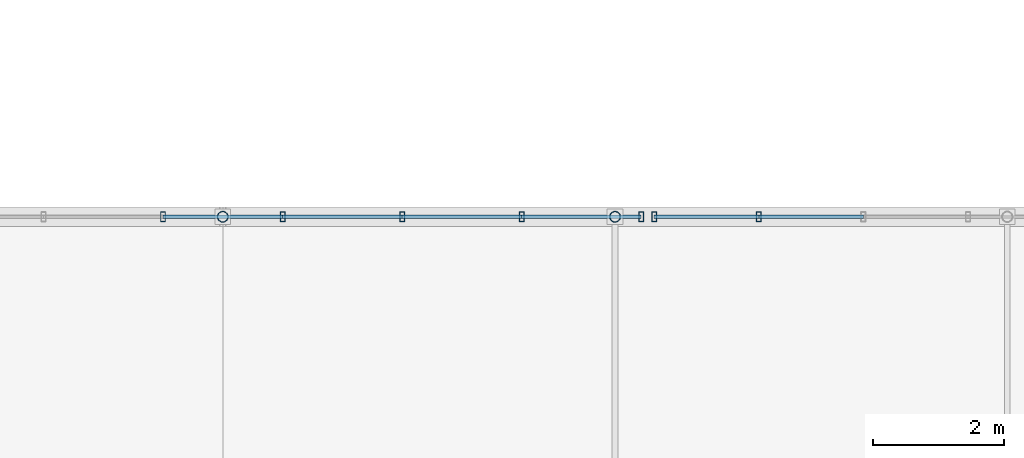
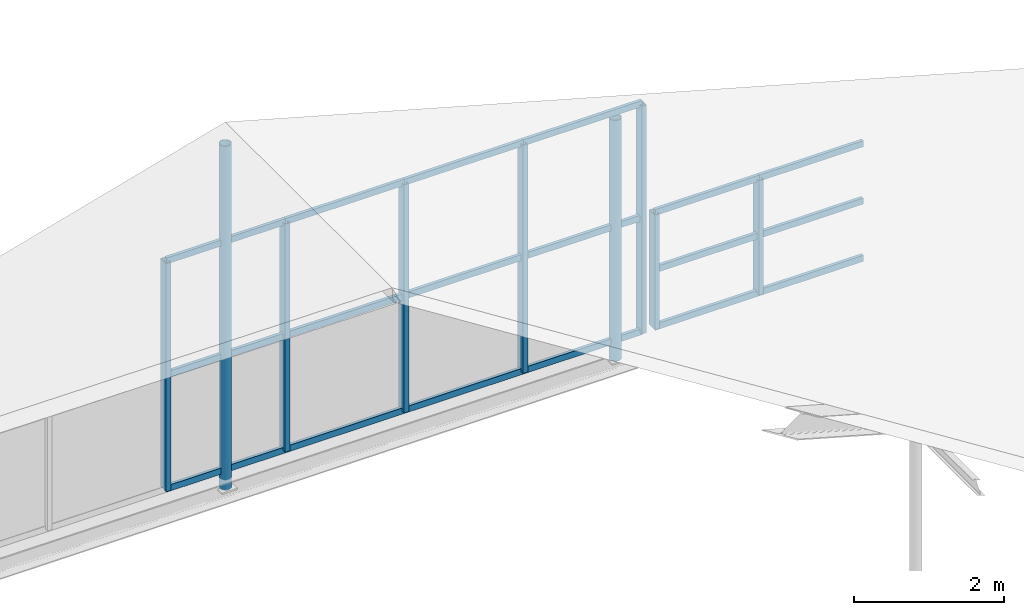
# One storey, part 33 of 49: 27 members, 2 elements without a shape of their own.
"""IFC4 building model written with IfcOpenShell, lengths in metres."""

from ifc_helpers import new_model, si_unit, direction, frame, origin, origin_2d, place, context, subcontext, project, spatial, hollow_rectangle, hollow_circle, extrude, material, material_profile, profile_set, type_object, element, aggregate, save


model = new_model("IFC4")

# Units and contexts
model_context = context("Model", 3, precision=1e-05, world=origin(), true_north=direction((0.0, 1.0)))
body_context = subcontext(model_context, "Body", "Model", "MODEL_VIEW")
ifc_project = project(units=[si_unit("LENGTHUNIT", "METRE"), si_unit("AREAUNIT", "SQUARE_METRE"), si_unit("VOLUMEUNIT", "CUBIC_METRE"), si_unit("PLANEANGLEUNIT", "RADIAN"), si_unit("MASSUNIT", "GRAM", prefix="KILO")], contexts=[model_context])

# Site, building, storey
site_placement = place(None, origin())
site = spatial("IfcSite", under=ifc_project, at=site_placement, CompositionType="ELEMENT")
building_placement = place(site_placement, origin())
building = spatial("IfcBuilding", under=site, at=building_placement, Name="Sundkrona Museum", CompositionType="ELEMENT")
storey_placement = place(building_placement, frame((0.0, 0.0, 26.0)))
storey = spatial("IfcBuildingStorey", under=building, at=storey_placement, Name="L05", CompositionType="ELEMENT", Elevation=26.0)

# Curtain wall, members
ifc_material_1 = material(Name="Unitised Aluminium-Steel and Ceramic-Clad Curtain Walling", Category="steel")
curtain_wall_type = type_object("IfcCurtainWallType", Name="CW-SW-240x13", PredefinedType="NOTDEFINED", material=ifc_material_1)
curtain_wall_1_placement = place(storey_placement, origin())
curtain_wall_1 = element("IfcCurtainWall", 1, at=curtain_wall_1_placement, inside=storey, type_object=curtain_wall_type, Name="Atrium N Glazed Gable Tympanum 3", PredefinedType="NOTDEFINED")
ifc_material_2 = material(Name="Aluminium EN AW-6060 T66", Category="aluminium")
ifc_material_profile_1 = material_profile(ifc_material_2, hollow_rectangle(XDim=0.074951171875, YDim=0.14990234375, WallThickness=0.00634765625, at=origin_2d()), Name="RHS 150x75x6.3")
ifc_profile_set_1 = profile_set([ifc_material_profile_1], Name="Aluminium EN AW-6060 T66")
member_type_1 = type_object("IfcMemberType", Name="ML-150", PredefinedType="MULLION", material=ifc_profile_set_1)
member_1_placement = place(storey_placement, frame((99.085693359375, 40.0, -0.10009765625), z_axis=(0.0, 0.0, 1.0), x_axis=(1.0, 0.0, 0.0)))
member_1 = element("IfcMember", 2, at=member_1_placement, type_object=member_type_1, Name="CW-ATR-GBL-N3 Mullion 04", PredefinedType="MULLION", context=body_context, shape_type="SweptSolid", body=[
    extrude(hollow_rectangle(XDim=0.074951171875, YDim=0.14990234375, WallThickness=0.00634765625, at=origin_2d()), origin(), (0.0, 0.0, 1.0), 3.70703125),
])
member_2_placement = place(storey_placement, frame((100.914306640625, 40.0, -0.10009765625), z_axis=(0.0, 0.0, 1.0), x_axis=(1.0, 0.0, 0.0)))
member_2 = element("IfcMember", 3, at=member_2_placement, type_object=member_type_1, Name="CW-ATR-GBL-N3 Mullion 05", PredefinedType="MULLION", context=body_context, shape_type="SweptSolid", body=[
    extrude(hollow_rectangle(XDim=0.074951171875, YDim=0.14990234375, WallThickness=0.00634765625, at=origin_2d()), origin(), (0.0, 0.0, 1.0), 3.70703125),
])
member_3_placement = place(storey_placement, frame((102.742919921875, 40.0, -0.10009765625), z_axis=(0.0, 0.0, 1.0), x_axis=(1.0, 0.0, 0.0)))
member_3 = element("IfcMember", 4, at=member_3_placement, type_object=member_type_1, Name="CW-ATR-GBL-N3 Mullion 06", PredefinedType="MULLION", context=body_context, shape_type="SweptSolid", body=[
    extrude(hollow_rectangle(XDim=0.074951171875, YDim=0.14990234375, WallThickness=0.00634765625, at=origin_2d()), origin(), (0.0, 0.0, 1.0), 3.70703125),
])
member_4_placement = place(storey_placement, frame((104.5712890625, 40.0, -0.10009765625), z_axis=(0.0, 0.0, 1.0), x_axis=(1.0, 0.0, 0.0)))
member_4 = element("IfcMember", 5, at=member_4_placement, type_object=member_type_1, Name="CW-ATR-GBL-N3 Mullion 07", PredefinedType="MULLION", context=body_context, shape_type="SweptSolid", body=[
    extrude(hollow_rectangle(XDim=0.074951171875, YDim=0.14990234375, WallThickness=0.00634765625, at=origin_2d()), origin(), (0.0, 0.0, 1.0), 3.70703125),
])
member_5_placement = place(storey_placement, frame((106.39990234375, 40.0, -0.10009765625), z_axis=(0.0, 0.0, 1.0), x_axis=(1.0, 0.0, 0.0)))
member_5 = element("IfcMember", 6, at=member_5_placement, type_object=member_type_1, Name="CW-ATR-GBL-N3 Mullion 08", PredefinedType="MULLION", context=body_context, shape_type="SweptSolid", body=[
    extrude(hollow_rectangle(XDim=0.074951171875, YDim=0.14990234375, WallThickness=0.00634765625, at=origin_2d()), origin(), (0.0, 0.0, 1.0), 3.70703125),
])

curtain_wall_2_placement = place(storey_placement, origin())
curtain_wall_2 = element("IfcCurtainWall", 7, at=curtain_wall_2_placement, inside=storey, type_object=curtain_wall_type, Name="Atrium N Glazed Gable Tympanum 4", PredefinedType="NOTDEFINED")
member_6_placement = place(storey_placement, frame((106.60009765625, 40.0, -0.10009765625), z_axis=(0.0, 0.0, 1.0), x_axis=(1.0, 0.0, 0.0)))
member_6 = element("IfcMember", 8, at=member_6_placement, type_object=member_type_1, Name="CW-ATR-GBL-N4 Mullion 01", PredefinedType="MULLION", context=body_context, shape_type="SweptSolid", body=[
    extrude(hollow_rectangle(XDim=0.074951171875, YDim=0.14990234375, WallThickness=0.00634765625, at=origin_2d()), origin(), (0.0, 0.0, 1.0), 1.864013671875),
])
member_7_placement = place(storey_placement, frame((108.199951171875, 40.0, -0.10009765625), z_axis=(0.0, 0.0, 1.0), x_axis=(1.0, 0.0, 0.0)))
member_7 = element("IfcMember", 9, at=member_7_placement, type_object=member_type_1, Name="CW-ATR-GBL-N4 Mullion 02", PredefinedType="MULLION", context=body_context, shape_type="SweptSolid", body=[
    extrude(hollow_rectangle(XDim=0.074951171875, YDim=0.14990234375, WallThickness=0.00634765625, at=origin_2d()), origin(), (0.0, 0.0, 1.0), 1.864013671875),
])

# Members
ifc_material_3 = material(Name="Steel S355J2", Category="steel")
ifc_material_profile_2 = material_profile(ifc_material_3, hollow_circle(Radius=0.084228515625, WallThickness=0.008056640625, at=origin_2d()), Name="CHS 168.3x8.0")
ifc_profile_set_2 = profile_set([ifc_material_profile_2], Name="Steel S355J2")
member_type_2 = type_object("IfcMemberType", Name="ST-CHS168", PredefinedType="STRUT", material=ifc_profile_set_2)
member_8_placement = place(storey_placement, frame((100.0, 40.0, -0.39990234375), z_axis=(0.0, 0.0, 1.0), x_axis=(1.0, 0.0, 0.0)))
element("IfcMember", 10, at=member_8_placement, inside=storey, type_object=member_type_2, Name="RFS-1 Atrium Truss 6 Web Strut 100", PredefinedType="STRUT", context=body_context, shape_type="SweptSolid", body=[
    extrude(hollow_circle(Radius=0.084228515625, WallThickness=0.008056640625, at=origin_2d()), origin(), (0.0, 0.0, 1.0), 5.593994140625),
])
member_9_placement = place(storey_placement, frame((106.0, 40.0, -0.39990234375), z_axis=(0.0, 0.0, 1.0), x_axis=(1.0, 0.0, 0.0)))
element("IfcMember", 11, at=member_9_placement, inside=storey, type_object=member_type_2, Name="RFS-1 Atrium Truss 6 Web Strut 106", PredefinedType="STRUT", context=body_context, shape_type="SweptSolid", body=[
    extrude(hollow_circle(Radius=0.084228515625, WallThickness=0.008056640625, at=origin_2d()), origin(), (0.0, 0.0, 1.0), 3.915771484375),
])

# Member
ifc_material_profile_3 = material_profile(ifc_material_2, hollow_rectangle(XDim=0.050048828125, YDim=0.10009765625, WallThickness=0.0048828125, at=origin_2d()), Name="RHS 100x50x5.0")
ifc_profile_set_3 = profile_set([ifc_material_profile_3], Name="Aluminium EN AW-6060 T66")
member_type_3 = type_object("IfcMemberType", Name="TR-100", PredefinedType="USERDEFINED", material=ifc_profile_set_3)
member_10_placement = place(storey_placement, frame((99.085693359375, 40.0, -0.10009765625), z_axis=(1.0, 0.0, 0.0), x_axis=(0.0, 1.0, 0.0)))
member_10 = element("IfcMember", 12, at=member_10_placement, type_object=member_type_3, Name="CW-ATR-GBL-N3 Transom 10", ObjectType="TRANSOM", PredefinedType="USERDEFINED", context=body_context, shape_type="SweptSolid", body=[
    extrude(hollow_rectangle(XDim=0.050048828125, YDim=0.10009765625, WallThickness=0.0048828125, at=origin_2d()), origin(), (0.0, 0.0, 1.0), 1.82861328125),
])

member_11_placement = place(storey_placement, frame((99.085693359375, 40.0, 1.7529296875), z_axis=(1.0, 0.0, 0.0), x_axis=(0.0, 1.0, 0.0)))
member_11 = element("IfcMember", 13, at=member_11_placement, type_object=member_type_3, Name="CW-ATR-GBL-N3 Transom 11", ObjectType="TRANSOM", PredefinedType="USERDEFINED", context=body_context, shape_type="SweptSolid", body=[
    extrude(hollow_rectangle(XDim=0.050048828125, YDim=0.10009765625, WallThickness=0.0048828125, at=origin_2d()), origin(), (0.0, 0.0, 1.0), 1.82861328125),
])

member_12_placement = place(storey_placement, frame((99.085693359375, 40.0, 3.60693359375), z_axis=(1.0, 0.0, 0.0), x_axis=(0.0, 1.0, 0.0)))
member_12 = element("IfcMember", 14, at=member_12_placement, type_object=member_type_3, Name="CW-ATR-GBL-N3 Transom 12", ObjectType="TRANSOM", PredefinedType="USERDEFINED", context=body_context, shape_type="SweptSolid", body=[
    extrude(hollow_rectangle(XDim=0.050048828125, YDim=0.10009765625, WallThickness=0.0048828125, at=origin_2d()), origin(), (0.0, 0.0, 1.0), 1.82861328125),
])

member_13_placement = place(storey_placement, frame((100.914306640625, 40.0, -0.10009765625), z_axis=(1.0, 0.0, 0.0), x_axis=(0.0, 1.0, 0.0)))
member_13 = element("IfcMember", 15, at=member_13_placement, type_object=member_type_3, Name="CW-ATR-GBL-N3 Transom 13", ObjectType="TRANSOM", PredefinedType="USERDEFINED", context=body_context, shape_type="SweptSolid", body=[
    extrude(hollow_rectangle(XDim=0.050048828125, YDim=0.10009765625, WallThickness=0.0048828125, at=origin_2d()), origin(), (0.0, 0.0, 1.0), 1.82861328125),
])

member_14_placement = place(storey_placement, frame((100.914306640625, 40.0, 1.7529296875), z_axis=(1.0, 0.0, 0.0), x_axis=(0.0, 1.0, 0.0)))
member_14 = element("IfcMember", 16, at=member_14_placement, type_object=member_type_3, Name="CW-ATR-GBL-N3 Transom 14", ObjectType="TRANSOM", PredefinedType="USERDEFINED", context=body_context, shape_type="SweptSolid", body=[
    extrude(hollow_rectangle(XDim=0.050048828125, YDim=0.10009765625, WallThickness=0.0048828125, at=origin_2d()), origin(), (0.0, 0.0, 1.0), 1.82861328125),
])

member_15_placement = place(storey_placement, frame((100.914306640625, 40.0, 3.60693359375), z_axis=(1.0, 0.0, 0.0), x_axis=(0.0, 1.0, 0.0)))
member_15 = element("IfcMember", 17, at=member_15_placement, type_object=member_type_3, Name="CW-ATR-GBL-N3 Transom 15", ObjectType="TRANSOM", PredefinedType="USERDEFINED", context=body_context, shape_type="SweptSolid", body=[
    extrude(hollow_rectangle(XDim=0.050048828125, YDim=0.10009765625, WallThickness=0.0048828125, at=origin_2d()), origin(), (0.0, 0.0, 1.0), 1.82861328125),
])

member_16_placement = place(storey_placement, frame((102.742919921875, 40.0, -0.10009765625), z_axis=(1.0, 0.0, 0.0), x_axis=(0.0, 1.0, 0.0)))
member_16 = element("IfcMember", 18, at=member_16_placement, type_object=member_type_3, Name="CW-ATR-GBL-N3 Transom 16", ObjectType="TRANSOM", PredefinedType="USERDEFINED", context=body_context, shape_type="SweptSolid", body=[
    extrude(hollow_rectangle(XDim=0.050048828125, YDim=0.10009765625, WallThickness=0.0048828125, at=origin_2d()), origin(), (0.0, 0.0, 1.0), 1.828369140625),
])

member_17_placement = place(storey_placement, frame((102.742919921875, 40.0, 1.7529296875), z_axis=(1.0, 0.0, 0.0), x_axis=(0.0, 1.0, 0.0)))
member_17 = element("IfcMember", 19, at=member_17_placement, type_object=member_type_3, Name="CW-ATR-GBL-N3 Transom 17", ObjectType="TRANSOM", PredefinedType="USERDEFINED", context=body_context, shape_type="SweptSolid", body=[
    extrude(hollow_rectangle(XDim=0.050048828125, YDim=0.10009765625, WallThickness=0.0048828125, at=origin_2d()), origin(), (0.0, 0.0, 1.0), 1.828369140625),
])

member_18_placement = place(storey_placement, frame((102.742919921875, 40.0, 3.60693359375), z_axis=(1.0, 0.0, 0.0), x_axis=(0.0, 1.0, 0.0)))
member_18 = element("IfcMember", 20, at=member_18_placement, type_object=member_type_3, Name="CW-ATR-GBL-N3 Transom 18", ObjectType="TRANSOM", PredefinedType="USERDEFINED", context=body_context, shape_type="SweptSolid", body=[
    extrude(hollow_rectangle(XDim=0.050048828125, YDim=0.10009765625, WallThickness=0.0048828125, at=origin_2d()), origin(), (0.0, 0.0, 1.0), 1.828369140625),
])

member_19_placement = place(storey_placement, frame((104.5712890625, 40.0, -0.10009765625), z_axis=(1.0, 0.0, 0.0), x_axis=(0.0, 1.0, 0.0)))
member_19 = element("IfcMember", 21, at=member_19_placement, type_object=member_type_3, Name="CW-ATR-GBL-N3 Transom 19", ObjectType="TRANSOM", PredefinedType="USERDEFINED", context=body_context, shape_type="SweptSolid", body=[
    extrude(hollow_rectangle(XDim=0.050048828125, YDim=0.10009765625, WallThickness=0.0048828125, at=origin_2d()), origin(), (0.0, 0.0, 1.0), 1.82861328125),
])

member_20_placement = place(storey_placement, frame((104.5712890625, 40.0, 1.7529296875), z_axis=(1.0, 0.0, 0.0), x_axis=(0.0, 1.0, 0.0)))
member_20 = element("IfcMember", 22, at=member_20_placement, type_object=member_type_3, Name="CW-ATR-GBL-N3 Transom 20", ObjectType="TRANSOM", PredefinedType="USERDEFINED", context=body_context, shape_type="SweptSolid", body=[
    extrude(hollow_rectangle(XDim=0.050048828125, YDim=0.10009765625, WallThickness=0.0048828125, at=origin_2d()), origin(), (0.0, 0.0, 1.0), 1.82861328125),
])

member_21_placement = place(storey_placement, frame((104.5712890625, 40.0, 3.60693359375), z_axis=(1.0, 0.0, 0.0), x_axis=(0.0, 1.0, 0.0)))
member_21 = element("IfcMember", 23, at=member_21_placement, type_object=member_type_3, Name="CW-ATR-GBL-N3 Transom 21", ObjectType="TRANSOM", PredefinedType="USERDEFINED", context=body_context, shape_type="SweptSolid", body=[
    extrude(hollow_rectangle(XDim=0.050048828125, YDim=0.10009765625, WallThickness=0.0048828125, at=origin_2d()), origin(), (0.0, 0.0, 1.0), 1.82861328125),
])

aggregate(curtain_wall_1, [member_1, member_2, member_3, member_4, member_5, member_10, member_11, member_12, member_13, member_14, member_15, member_16, member_17, member_18, member_19, member_20, member_21])

member_22_placement = place(storey_placement, frame((106.60009765625, 40.0, -0.10009765625), z_axis=(1.0, 0.0, 0.0), x_axis=(0.0, 1.0, 0.0)))
member_22 = element("IfcMember", 24, at=member_22_placement, type_object=member_type_3, Name="CW-ATR-GBL-N4 Transom 01", ObjectType="TRANSOM", PredefinedType="USERDEFINED", context=body_context, shape_type="SweptSolid", body=[
    extrude(hollow_rectangle(XDim=0.050048828125, YDim=0.10009765625, WallThickness=0.0048828125, at=origin_2d()), origin(), (0.0, 0.0, 1.0), 1.599853515625),
])

member_23_placement = place(storey_placement, frame((106.60009765625, 40.0, 0.83203125), z_axis=(1.0, 0.0, 0.0), x_axis=(0.0, 1.0, 0.0)))
member_23 = element("IfcMember", 25, at=member_23_placement, type_object=member_type_3, Name="CW-ATR-GBL-N4 Transom 02", ObjectType="TRANSOM", PredefinedType="USERDEFINED", context=body_context, shape_type="SweptSolid", body=[
    extrude(hollow_rectangle(XDim=0.050048828125, YDim=0.10009765625, WallThickness=0.0048828125, at=origin_2d()), origin(), (0.0, 0.0, 1.0), 1.599853515625),
])

member_24_placement = place(storey_placement, frame((106.60009765625, 40.0, 1.763916015625), z_axis=(1.0, 0.0, 0.0), x_axis=(0.0, 1.0, 0.0)))
member_24 = element("IfcMember", 26, at=member_24_placement, type_object=member_type_3, Name="CW-ATR-GBL-N4 Transom 03", ObjectType="TRANSOM", PredefinedType="USERDEFINED", context=body_context, shape_type="SweptSolid", body=[
    extrude(hollow_rectangle(XDim=0.050048828125, YDim=0.10009765625, WallThickness=0.0048828125, at=origin_2d()), origin(), (0.0, 0.0, 1.0), 1.599853515625),
])

member_25_placement = place(storey_placement, frame((108.199951171875, 40.0, -0.10009765625), z_axis=(1.0, 0.0, 0.0), x_axis=(0.0, 1.0, 0.0)))
member_25 = element("IfcMember", 27, at=member_25_placement, type_object=member_type_3, Name="CW-ATR-GBL-N4 Transom 04", ObjectType="TRANSOM", PredefinedType="USERDEFINED", context=body_context, shape_type="SweptSolid", body=[
    extrude(hollow_rectangle(XDim=0.050048828125, YDim=0.10009765625, WallThickness=0.0048828125, at=origin_2d()), origin(), (0.0, 0.0, 1.0), 1.60009765625),
])

member_26_placement = place(storey_placement, frame((108.199951171875, 40.0, 0.83203125), z_axis=(1.0, 0.0, 0.0), x_axis=(0.0, 1.0, 0.0)))
member_26 = element("IfcMember", 28, at=member_26_placement, type_object=member_type_3, Name="CW-ATR-GBL-N4 Transom 05", ObjectType="TRANSOM", PredefinedType="USERDEFINED", context=body_context, shape_type="SweptSolid", body=[
    extrude(hollow_rectangle(XDim=0.050048828125, YDim=0.10009765625, WallThickness=0.0048828125, at=origin_2d()), origin(), (0.0, 0.0, 1.0), 1.60009765625),
])

member_27_placement = place(storey_placement, frame((108.199951171875, 40.0, 1.763916015625), z_axis=(1.0, 0.0, 0.0), x_axis=(0.0, 1.0, 0.0)))
member_27 = element("IfcMember", 29, at=member_27_placement, type_object=member_type_3, Name="CW-ATR-GBL-N4 Transom 06", ObjectType="TRANSOM", PredefinedType="USERDEFINED", context=body_context, shape_type="SweptSolid", body=[
    extrude(hollow_rectangle(XDim=0.050048828125, YDim=0.10009765625, WallThickness=0.0048828125, at=origin_2d()), origin(), (0.0, 0.0, 1.0), 1.60009765625),
])

aggregate(curtain_wall_2, [member_6, member_7, member_22, member_23, member_24, member_25, member_26, member_27])

save(model, "model.ifc")
